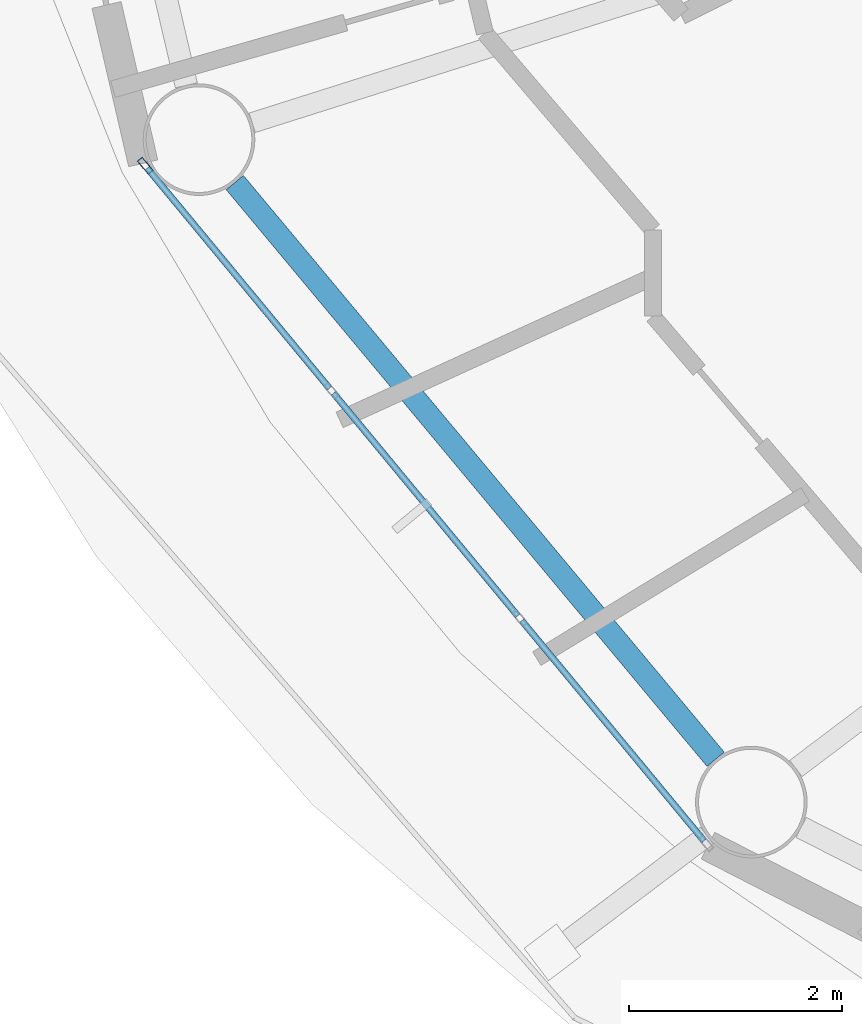
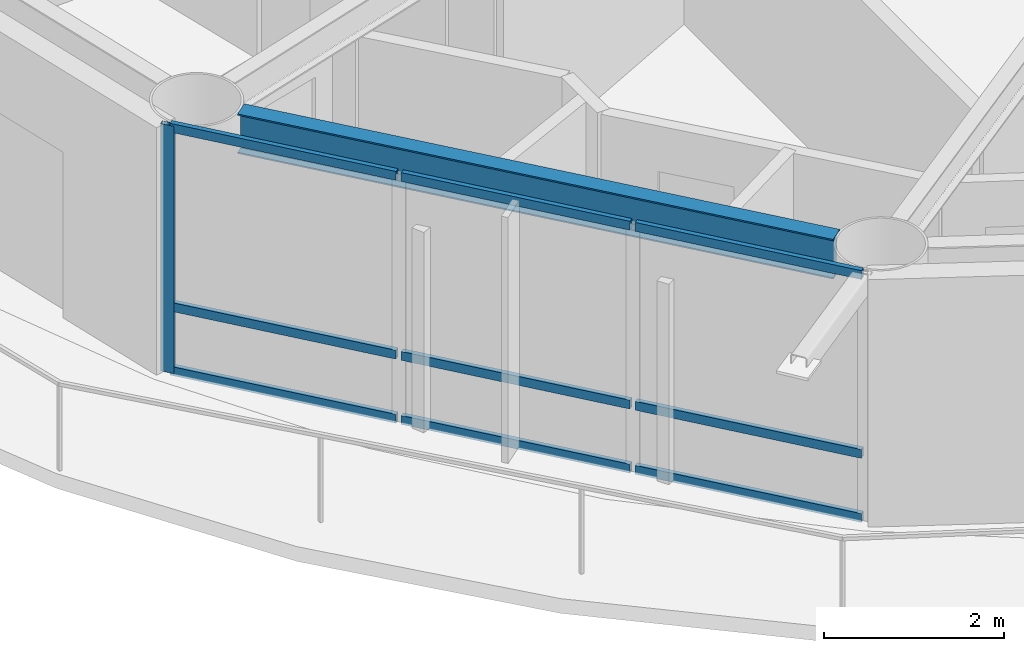
# One storey, part 3 of 23: 10 members, 1 beam, 1 element without a shape of its own.
"""IFC4 building model written with IfcOpenShell, lengths in metres."""

from ifc_helpers import new_model, si_unit, direction, frame, origin, origin_2d, place, context, subcontext, project, spatial, hollow_rectangle, i_section, extrude, material, layer, layer_set, material_profile, profile_set, type_object, element, aggregate, save


model = new_model("IFC4")

# Units and contexts
model_context = context("Model", 3, precision=1e-05, world=origin(), true_north=direction((0.0, 1.0)))
body_context = subcontext(model_context, "Body", "Model", "MODEL_VIEW")
ifc_project = project(units=[si_unit("LENGTHUNIT", "METRE"), si_unit("AREAUNIT", "SQUARE_METRE"), si_unit("VOLUMEUNIT", "CUBIC_METRE"), si_unit("PLANEANGLEUNIT", "RADIAN"), si_unit("MASSUNIT", "GRAM", prefix="KILO")], contexts=[model_context])

# Site, building, storey
site_placement = place(None, origin())
site = spatial("IfcSite", under=ifc_project, at=site_placement, CompositionType="ELEMENT")
building_placement = place(site_placement, origin())
building = spatial("IfcBuilding", under=site, at=building_placement, Name="Sarneth Arch Tower", CompositionType="ELEMENT")
storey_placement = place(building_placement, frame((0.0, 0.0, 242.39990234375)))
storey = spatial("IfcBuildingStorey", under=building, at=storey_placement, Name="L62", CompositionType="ELEMENT", Elevation=242.39990234375)

# Beam
ifc_material_1 = material(Name="Steel S355", Category="steel")
ifc_material_profile_1 = material_profile(ifc_material_1, i_section(OverallWidth=0.2109375, OverallDepth=0.5390625, WebThickness=0.01171875, FlangeThickness=0.018798828125, FilletRadius=0.01806640625, at=origin_2d()), Name="W530x109")
ifc_profile_set_1 = profile_set([ifc_material_profile_1], Name="Steel S355")
beam_type = type_object("IfcBeamType", Name="BM-RAD-530B", PredefinedType="BEAM", material=ifc_profile_set_1)
beam_placement = place(storey_placement, frame((25.16748046875, 34.249267578125, 3.090576171875), z_axis=(0.640364654985, -0.76807103099, 0.0), x_axis=(0.76807103099, 0.640364654985, 0.0)))
element("IfcBeam", 1, at=beam_placement, inside=storey, type_object=beam_type, Name="L62 Perimeter spandrel beam 10", PredefinedType="BEAM", context=body_context, shape_type="SweptSolid", body=[
    extrude(i_section(OverallWidth=0.2109375, OverallDepth=0.5390625, WebThickness=0.01171875, FlangeThickness=0.018798828125, FilletRadius=0.01806640625, at=origin_2d()), origin(), (0.0, 0.0, 1.0), 7.06005859375),
])

# Curtain wall, members
ifc_material_2 = material(Name="Anodised aluminium Type AA25 and solar-control low-e laminated IGU", Category="aluminium")
ifc_layer = layer(ifc_material_2, 0.179931640625)
ifc_layer_set = layer_set([ifc_layer], Name="Anodised aluminium Type AA25 and solar-control low-e laminated IGU")
curtain_wall_type = type_object("IfcCurtainWallType", Name="CW-RES-HIGH", PredefinedType="NOTDEFINED", material=ifc_layer_set)
curtain_wall_placement = place(storey_placement, origin())
curtain_wall = element("IfcCurtainWall", 2, at=curtain_wall_placement, inside=storey, type_object=curtain_wall_type, Name="L62 Unitised curtain wall facet 10", PredefinedType="NOTDEFINED")
ifc_material_3 = material(Name="Anodised Aluminium 6063-T6", Category="aluminium")
ifc_material_profile_2 = material_profile(ifc_material_3, hollow_rectangle(XDim=0.06005859375, YDim=0.159912109375, WallThickness=0.00390625, at=origin_2d()), Name="AL-MULL-160x60x4")
ifc_profile_set_2 = profile_set([ifc_material_profile_2], Name="Anodised Aluminium 6063-T6")
member_type_1 = type_object("IfcMemberType", Name="CW-MULLION", PredefinedType="MULLION", material=ifc_profile_set_2)
member_1_placement = place(storey_placement, frame((24.325439453125, 34.407470703125, 0.0), z_axis=(0.0, 0.0, 1.0), x_axis=(0.770359245933, 0.637610094184, 0.0)))
member_1 = element("IfcMember", 3, at=member_1_placement, type_object=member_type_1, Name="CW-SYS-6 mullion 1", PredefinedType="MULLION", context=body_context, shape_type="SweptSolid", body=[
    extrude(hollow_rectangle(XDim=0.06005859375, YDim=0.159912109375, WallThickness=0.00390625, at=origin_2d()), origin(), (0.0, 0.0, 1.0), 3.360107421875),
])
ifc_material_4 = material(Name="Anodised Aluminium 6063-T6", Category="aluminium")
ifc_material_profile_3 = material_profile(ifc_material_4, hollow_rectangle(XDim=0.06005859375, YDim=0.1201171875, WallThickness=0.00390625, at=origin_2d()), Name="AL-TRAN-120x60x4")
ifc_profile_set_3 = profile_set([ifc_material_profile_3], Name="Anodised Aluminium 6063-T6")
member_type_2 = type_object("IfcMemberType", Name="CW-TRANSOM", PredefinedType="USERDEFINED", material=ifc_profile_set_3)
member_2_placement = place(storey_placement, frame((24.344482421875, 34.38427734375, 0.030029296875), z_axis=(0.637651400067, -0.770325056059, 0.0), x_axis=(0.770325056059, 0.637651400067, 0.0)))
member_2 = element("IfcMember", 4, at=member_2_placement, type_object=member_type_2, Name="CW-SYS-6 transom 1.1", ObjectType="TRANSOM", PredefinedType="USERDEFINED", context=body_context, shape_type="SweptSolid", body=[
    extrude(hollow_rectangle(XDim=0.06005859375, YDim=0.1201171875, WallThickness=0.00390625, at=origin_2d()), origin(), (0.0, 0.0, 1.0), 2.6865234375),
])
member_3_placement = place(storey_placement, frame((24.344482421875, 34.38427734375, 0.900146484375), z_axis=(0.637651400067, -0.770325056059, 0.0), x_axis=(0.770325056059, 0.637651400067, 0.0)))
member_3 = element("IfcMember", 5, at=member_3_placement, type_object=member_type_2, Name="CW-SYS-6 transom 1.2", ObjectType="TRANSOM", PredefinedType="USERDEFINED", context=body_context, shape_type="SweptSolid", body=[
    extrude(hollow_rectangle(XDim=0.06005859375, YDim=0.1201171875, WallThickness=0.00390625, at=origin_2d()), origin(), (0.0, 0.0, 1.0), 2.6865234375),
])
member_4_placement = place(storey_placement, frame((24.344482421875, 34.38427734375, 3.330078125), z_axis=(0.637651400067, -0.770325056059, 0.0), x_axis=(0.770325056059, 0.637651400067, 0.0)))
member_4 = element("IfcMember", 6, at=member_4_placement, type_object=member_type_2, Name="CW-SYS-6 transom 1.3", ObjectType="TRANSOM", PredefinedType="USERDEFINED", context=body_context, shape_type="SweptSolid", body=[
    extrude(hollow_rectangle(XDim=0.06005859375, YDim=0.1201171875, WallThickness=0.00390625, at=origin_2d()), origin(), (0.0, 0.0, 1.0), 2.6865234375),
])
member_5_placement = place(storey_placement, frame((26.095703125, 32.268310546875, 0.030029296875), z_axis=(0.637617371902, -0.770353222261, 0.0), x_axis=(0.770353222261, 0.637617371902, 0.0)))
member_5 = element("IfcMember", 7, at=member_5_placement, type_object=member_type_2, Name="CW-SYS-6 transom 2.1", ObjectType="TRANSOM", PredefinedType="USERDEFINED", context=body_context, shape_type="SweptSolid", body=[
    extrude(hollow_rectangle(XDim=0.06005859375, YDim=0.1201171875, WallThickness=0.00390625, at=origin_2d()), origin(), (0.0, 0.0, 1.0), 2.716552734375),
])
member_6_placement = place(storey_placement, frame((26.095703125, 32.268310546875, 0.900146484375), z_axis=(0.637617371902, -0.770353222261, 0.0), x_axis=(0.770353222261, 0.637617371902, 0.0)))
member_6 = element("IfcMember", 8, at=member_6_placement, type_object=member_type_2, Name="CW-SYS-6 transom 2.2", ObjectType="TRANSOM", PredefinedType="USERDEFINED", context=body_context, shape_type="SweptSolid", body=[
    extrude(hollow_rectangle(XDim=0.06005859375, YDim=0.1201171875, WallThickness=0.00390625, at=origin_2d()), origin(), (0.0, 0.0, 1.0), 2.716552734375),
])
member_7_placement = place(storey_placement, frame((26.095703125, 32.268310546875, 3.330078125), z_axis=(0.637617371902, -0.770353222261, 0.0), x_axis=(0.770353222261, 0.637617371902, 0.0)))
member_7 = element("IfcMember", 9, at=member_7_placement, type_object=member_type_2, Name="CW-SYS-6 transom 2.3", ObjectType="TRANSOM", PredefinedType="USERDEFINED", context=body_context, shape_type="SweptSolid", body=[
    extrude(hollow_rectangle(XDim=0.06005859375, YDim=0.1201171875, WallThickness=0.00390625, at=origin_2d()), origin(), (0.0, 0.0, 1.0), 2.716552734375),
])
member_8_placement = place(storey_placement, frame((27.8662109375, 30.12939453125, 0.030029296875), z_axis=(0.637606765719, -0.770362000821, 0.0), x_axis=(0.770362000821, 0.637606765719, 0.0)))
member_8 = element("IfcMember", 10, at=member_8_placement, type_object=member_type_2, Name="CW-SYS-6 transom 3.1", ObjectType="TRANSOM", PredefinedType="USERDEFINED", context=body_context, shape_type="SweptSolid", body=[
    extrude(hollow_rectangle(XDim=0.06005859375, YDim=0.1201171875, WallThickness=0.00390625, at=origin_2d()), origin(), (0.0, 0.0, 1.0), 2.686767578125),
])
member_9_placement = place(storey_placement, frame((27.8662109375, 30.12939453125, 0.900146484375), z_axis=(0.637606765719, -0.770362000821, 0.0), x_axis=(0.770362000821, 0.637606765719, 0.0)))
member_9 = element("IfcMember", 11, at=member_9_placement, type_object=member_type_2, Name="CW-SYS-6 transom 3.2", ObjectType="TRANSOM", PredefinedType="USERDEFINED", context=body_context, shape_type="SweptSolid", body=[
    extrude(hollow_rectangle(XDim=0.06005859375, YDim=0.1201171875, WallThickness=0.00390625, at=origin_2d()), origin(), (0.0, 0.0, 1.0), 2.686767578125),
])
member_10_placement = place(storey_placement, frame((27.8662109375, 30.12939453125, 3.330078125), z_axis=(0.637606765719, -0.770362000821, 0.0), x_axis=(0.770362000821, 0.637606765719, 0.0)))
member_10 = element("IfcMember", 12, at=member_10_placement, type_object=member_type_2, Name="CW-SYS-6 transom 3.3", ObjectType="TRANSOM", PredefinedType="USERDEFINED", context=body_context, shape_type="SweptSolid", body=[
    extrude(hollow_rectangle(XDim=0.06005859375, YDim=0.1201171875, WallThickness=0.00390625, at=origin_2d()), origin(), (0.0, 0.0, 1.0), 2.686767578125),
])
aggregate(curtain_wall, [member_1, member_2, member_3, member_4, member_5, member_6, member_7, member_8, member_9, member_10])

save(model, "model.ifc")
